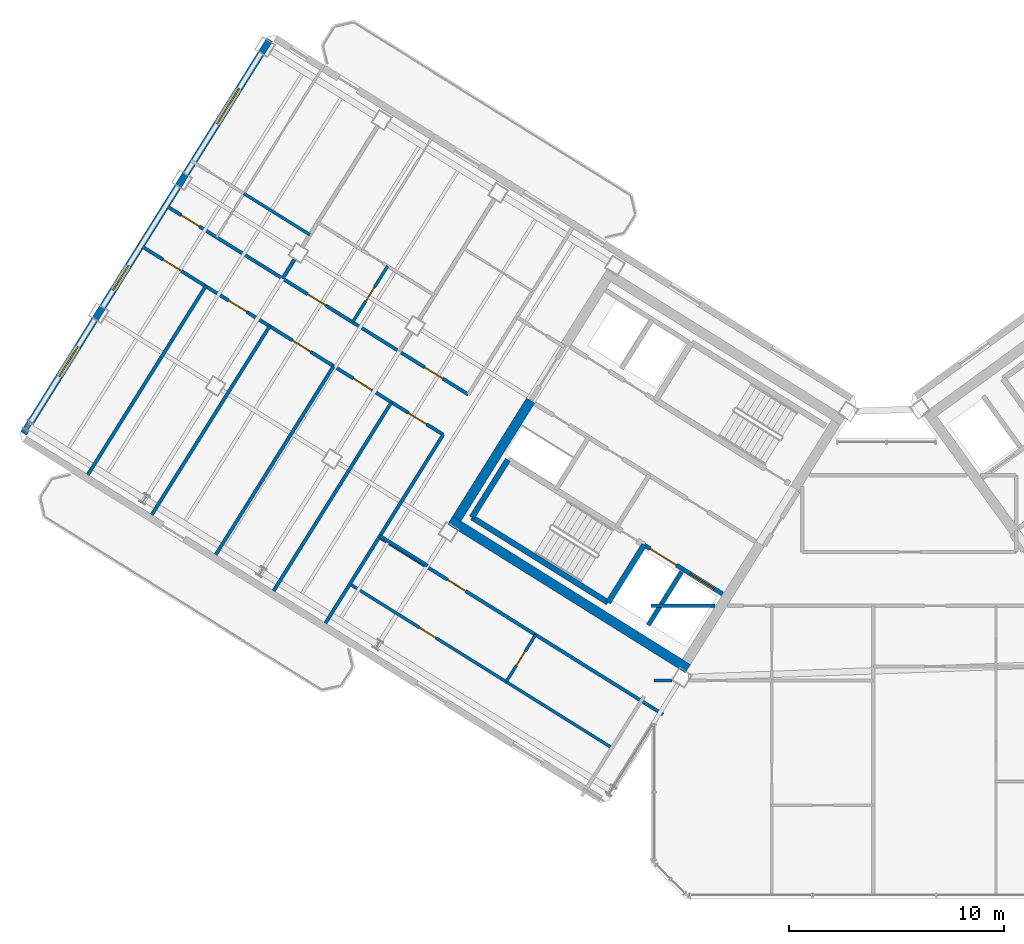
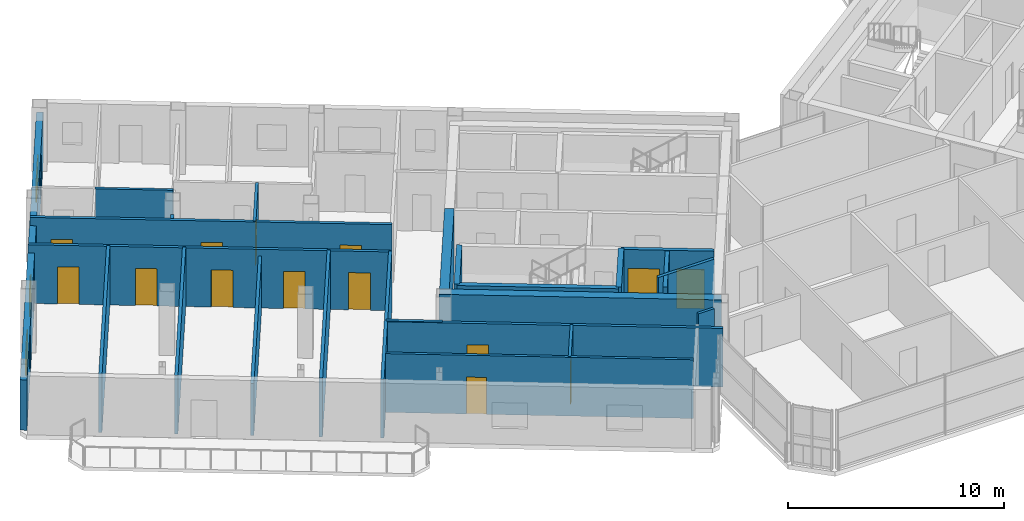
# One storey, part 16 of 25: 24 walls, 14 doors, 3 windows, 17 openings.
"""IFC4 building model written with IfcOpenShell, lengths in metres."""

from ifc_helpers import new_model, si_unit, direction, frame, frame_2d, origin, place, context, subcontext, project, spatial, rectangle, extrude, source, transform, mapped, material, layer, layer_set, type_object, element, fill, save


model = new_model("IFC4")

# Units and contexts
model_context = context("Model", 3, precision=1e-05, world=origin(), true_north=direction((0.0, 1.0)))
body_context = subcontext(model_context, "Body", "Model", "MODEL_VIEW")
ifc_project = project(units=[si_unit("LENGTHUNIT", "METRE"), si_unit("AREAUNIT", "SQUARE_METRE"), si_unit("VOLUMEUNIT", "CUBIC_METRE"), si_unit("PLANEANGLEUNIT", "RADIAN"), si_unit("MASSUNIT", "GRAM", prefix="KILO")], contexts=[model_context])

# Site, building, storey
site_placement = place(None, origin())
site = spatial("IfcSite", under=ifc_project, at=site_placement, CompositionType="ELEMENT")
building_placement = place(site_placement, origin())
building = spatial("IfcBuilding", under=site, at=building_placement, Name="Tlacorven Tower", CompositionType="ELEMENT")
storey_placement = place(building_placement, frame((0.0, 0.0, 251.10009765625)))
storey = spatial("IfcBuildingStorey", under=building, at=storey_placement, Name="L63", CompositionType="ELEMENT", Elevation=251.10009765625)

# Walls
ifc_material_1 = material(Name="Concrete C50/60", Category="concrete")
ifc_layer_1 = layer(ifc_material_1, 0.449951171875)
ifc_layer_set_1 = layer_set([ifc_layer_1], Name="Concrete C50/60")
wall_type_1 = type_object("IfcWallType", Name="WL-COR-450", PredefinedType="SHEAR", material=ifc_layer_set_1)
wall_1_placement = place(storey_placement, frame((33.32373046875, 12.5029296875, 0.0), z_axis=(0.0, 0.0, 1.0), x_axis=(-0.848043529849, 0.529926571782, 0.0)))
element("IfcWall", 1, at=wall_1_placement, inside=storey, type_object=wall_type_1, Name="L63 W core shear wall S2", PredefinedType="SHEAR", context=body_context, shape_type="SweptSolid", body=[
    extrude(rectangle(XDim=13.039794921875, YDim=0.449951171875, at=frame_2d((6.52001953125, 0.0))), origin(), (0.0, 0.0, 1.0), 3.31982421875),
])
wall_2_placement = place(storey_placement, frame((26.006591796875, 24.975830078125, 0.0), z_axis=(0.0, 0.0, 1.0), x_axis=(-0.529931155655, -0.848040665456, 0.0)))
element("IfcWall", 2, at=wall_2_placement, inside=storey, type_object=wall_type_1, Name="L63 W core end wall E2.2", PredefinedType="SHEAR", context=body_context, shape_type="SweptSolid", body=[
    extrude(rectangle(XDim=6.47509765625, YDim=0.449951171875, at=frame_2d((3.237548828125, 0.0))), origin(), (0.0, 0.0, 1.0), 3.31982421875),
])
ifc_material_2 = material(Name="Gypsum plasterboard acoustic partition", Category="gypsum")
ifc_layer_2 = layer(ifc_material_2, 0.159912109375)
ifc_layer_set_2 = layer_set([ifc_layer_2], Name="Gypsum plasterboard acoustic partition")
wall_type_2 = type_object("IfcWallType", Name="WL-DEM-160", PredefinedType="PARTITIONING", material=ifc_layer_set_2)
wall_3_placement = place(storey_placement, frame((21.20556640625, 17.29248046875, 0.0), z_axis=(0.0, 0.0, 1.0), x_axis=(-0.848050851465, 0.529914854792, 0.0)))
element("IfcWall", 3, at=wall_3_placement, inside=storey, type_object=wall_type_2, Name="L63 partition 37", PredefinedType="PARTITIONING", context=body_context, shape_type="SweptSolid", body=[
    extrude(rectangle(XDim=2.60986328125, YDim=0.159912109375, at=frame_2d((1.304931640625, 0.0))), origin(), (0.0, 0.0, 1.0), 3.309814453125),
])
wall_4_placement = place(storey_placement, frame((21.9384765625, 23.390625, 0.0), z_axis=(0.0, 0.0, 1.0), x_axis=(-0.529924725692, -0.848044683434, 0.0)))
element("IfcWall", 4, at=wall_4_placement, inside=storey, type_object=wall_type_2, Name="L63 partition 39", PredefinedType="PARTITIONING", context=body_context, shape_type="SweptSolid", body=[
    extrude(rectangle(XDim=10.349853515625, YDim=0.159912109375, at=frame_2d((5.1748046875, 0.0))), origin(), (0.0, 0.0, 1.0), 3.309814453125),
])

# Wall, openings, doors
wall_5_placement = place(storey_placement, frame((23.104248046875, 25.25634765625, 0.0), z_axis=(0.0, 0.0, 1.0), x_axis=(-0.848041752158, 0.529929416617, 0.0)))
wall_5 = element("IfcWall", 5, at=wall_5_placement, inside=storey, type_object=wall_type_2, Name="L63 Wing W Corridor South Wall", PredefinedType="PARTITIONING", context=body_context, shape_type="SweptSolid", body=[
    extrude(rectangle(XDim=16.72998046875, YDim=0.159912109375, at=frame_2d((8.364990234375, 0.0))), origin(), (0.0, 0.0, 1.0), 3.309814453125),
])
opening_1_placement = place(wall_5_placement, frame((1.39501953125, 0.0, 0.0)))
opening_1 = element("IfcOpeningElement", 6, at=opening_1_placement, cuts=wall_5, Name="Opening D11", PredefinedType="OPENING", context=body_context, shape_type="SweptSolid", body=[
    extrude(rectangle(XDim=1.0, YDim=2.10009765625, at=frame_2d((0.5, 1.050048828125))), frame((0.0, 0.08984375, 0.0), z_axis=(0.0, -1.0, 0.0), x_axis=(1.0, 0.0, 0.0)), (0.0, 0.0, 1.0), 0.179931640625),
])
opening_2_placement = place(wall_5_placement, frame((7.820068359375, 0.0, 0.0)))
opening_2 = element("IfcOpeningElement", 7, at=opening_2_placement, cuts=wall_5, Name="Opening D11", PredefinedType="OPENING", context=body_context, shape_type="SweptSolid", body=[
    extrude(rectangle(XDim=1.0, YDim=2.10009765625, at=frame_2d((0.5, 1.050048828125))), frame((0.0, 0.08984375, 0.0), z_axis=(0.0, -1.0, 0.0), x_axis=(1.0, 0.0, 0.0)), (0.0, 0.0, 1.0), 0.179931640625),
])
opening_3_placement = place(wall_5_placement, frame((14.760009765625, 0.0, 0.0)))
opening_3 = element("IfcOpeningElement", 8, at=opening_3_placement, cuts=wall_5, Name="Opening D11", PredefinedType="OPENING", context=body_context, shape_type="SweptSolid", body=[
    extrude(rectangle(XDim=1.0, YDim=2.10009765625, at=frame_2d((0.5, 1.050048828125))), frame((0.0, 0.08984375, 0.0), z_axis=(0.0, -1.0, 0.0), x_axis=(1.0, 0.0, 0.0)), (0.0, 0.0, 1.0), 0.179931640625),
])
ifc_material_3 = material(Name="Fire-rated steel door assembly", Category="steel")
door_type_1 = type_object("IfcDoorType", Name="DR-FLT-FD60-1000", OperationType="NOTDEFINED", PredefinedType="DOOR", material=ifc_material_3)
shared_shape_1 = source(origin(), body_context, "Body", "SweptSolid", [
    extrude(rectangle(XDim=1.0, YDim=2.10009765625, at=frame_2d((0.5, 1.050048828125))), frame((0.0, 0.02490234375, 0.0), z_axis=(0.0, -1.0, 0.0), x_axis=(1.0, 0.0, 0.0)), (0.0, 0.0, 1.0), 0.050048828125),
])
door_1_placement = place(opening_1_placement, origin())
door_1 = element("IfcDoor", 9, at=door_1_placement, inside=storey, type_object=door_type_1, Name="L63 door 026", OperationType="SINGLE_SWING_RIGHT", OverallHeight=2.10009765625, OverallWidth=1.0, PredefinedType="DOOR", context=body_context, shape_type="MappedRepresentation", body=[
    mapped(shared_shape_1, transform((0.0, 0.0, 0.0), scale=1.0)),
])
fill(opening_1, door_1)
door_2_placement = place(opening_2_placement, origin())
door_2 = element("IfcDoor", 10, at=door_2_placement, inside=storey, type_object=door_type_1, Name="L63 door 029", OperationType="SINGLE_SWING_LEFT", OverallHeight=2.10009765625, OverallWidth=1.0, PredefinedType="DOOR", context=body_context, shape_type="MappedRepresentation", body=[
    mapped(shared_shape_1, transform((0.0, 0.0, 0.0), scale=1.0)),
])
fill(opening_2, door_2)
door_3_placement = place(opening_3_placement, origin())
door_3 = element("IfcDoor", 11, at=door_3_placement, inside=storey, type_object=door_type_1, Name="L63 door 033", OperationType="SINGLE_SWING_LEFT", OverallHeight=2.10009765625, OverallWidth=1.0, PredefinedType="DOOR", context=body_context, shape_type="MappedRepresentation", body=[
    mapped(shared_shape_1, transform((0.0, 0.0, 0.0), scale=1.0)),
])
fill(opening_3, door_3)

wall_6_placement = place(storey_placement, frame((21.9384765625, 23.390625, 0.0), z_axis=(0.0, 0.0, 1.0), x_axis=(-0.848045850158, 0.529922858565, 0.0)))
wall_6 = element("IfcWall", 12, at=wall_6_placement, inside=storey, type_object=wall_type_2, Name="L63 Wing W Corridor North Wall", PredefinedType="PARTITIONING", context=body_context, shape_type="SweptSolid", body=[
    extrude(rectangle(XDim=16.730224609375, YDim=0.159912109375, at=frame_2d((8.365234375, 0.0))), origin(), (0.0, 0.0, 1.0), 3.309814453125),
])
opening_4_placement = place(wall_6_placement, frame((0.92041015625, 0.0, 0.0)))
opening_4 = element("IfcOpeningElement", 13, at=opening_4_placement, cuts=wall_6, Name="Opening D11", PredefinedType="OPENING", context=body_context, shape_type="SweptSolid", body=[
    extrude(rectangle(XDim=1.0, YDim=2.10009765625, at=frame_2d((0.5, 1.050048828125))), frame((0.0, 0.08984375, 0.0), z_axis=(0.0, -1.0, 0.0), x_axis=(1.0, 0.0, 0.0)), (0.0, 0.0, 1.0), 0.179931640625),
])
opening_5_placement = place(wall_6_placement, frame((3.928466796875, 0.0, 0.0)))
opening_5 = element("IfcOpeningElement", 14, at=opening_5_placement, cuts=wall_6, Name="Opening D11", PredefinedType="OPENING", context=body_context, shape_type="SweptSolid", body=[
    extrude(rectangle(XDim=1.0, YDim=2.10009765625, at=frame_2d((0.5, 1.050048828125))), frame((0.0, 0.08984375, 0.0), z_axis=(0.0, -1.0, 0.0), x_axis=(1.0, 0.0, 0.0)), (0.0, 0.0, 1.0), 0.179931640625),
])
opening_6_placement = place(wall_6_placement, frame((7.2705078125, 0.0, 0.0)))
opening_6 = element("IfcOpeningElement", 15, at=opening_6_placement, cuts=wall_6, Name="Opening D11", PredefinedType="OPENING", context=body_context, shape_type="SweptSolid", body=[
    extrude(rectangle(XDim=1.0, YDim=2.10009765625, at=frame_2d((0.5, 1.050048828125))), frame((0.0, 0.08984375, 0.0), z_axis=(0.0, -1.0, 0.0), x_axis=(1.0, 0.0, 0.0)), (0.0, 0.0, 1.0), 0.179931640625),
])
opening_7_placement = place(wall_6_placement, frame((10.779541015625, 0.0, 0.0)))
opening_7 = element("IfcOpeningElement", 16, at=opening_7_placement, cuts=wall_6, Name="Opening D11", PredefinedType="OPENING", context=body_context, shape_type="SweptSolid", body=[
    extrude(rectangle(XDim=1.0, YDim=2.10009765625, at=frame_2d((0.5, 1.050048828125))), frame((0.0, 0.08984375, 0.0), z_axis=(0.0, -1.0, 0.0), x_axis=(1.0, 0.0, 0.0)), (0.0, 0.0, 1.0), 0.179931640625),
])
opening_8_placement = place(wall_6_placement, frame((14.3720703125, 0.0, 0.0)))
opening_8 = element("IfcOpeningElement", 17, at=opening_8_placement, cuts=wall_6, Name="Opening D11", PredefinedType="OPENING", context=body_context, shape_type="SweptSolid", body=[
    extrude(rectangle(XDim=1.0, YDim=2.10009765625, at=frame_2d((0.5, 1.050048828125))), frame((0.0, 0.08984375, 0.0), z_axis=(0.0, -1.0, 0.0), x_axis=(1.0, 0.0, 0.0)), (0.0, 0.0, 1.0), 0.179931640625),
])
door_4_placement = place(opening_4_placement, origin())
door_4 = element("IfcDoor", 18, at=door_4_placement, inside=storey, type_object=door_type_1, Name="L63 door 021", OperationType="SINGLE_SWING_LEFT", OverallHeight=2.10009765625, OverallWidth=1.0, PredefinedType="DOOR", context=body_context, shape_type="MappedRepresentation", body=[
    mapped(shared_shape_1, transform((0.0, 0.0, 0.0), scale=1.0)),
])
fill(opening_4, door_4)
door_5_placement = place(opening_5_placement, origin())
door_5 = element("IfcDoor", 19, at=door_5_placement, inside=storey, type_object=door_type_1, Name="L63 door 022", OperationType="SINGLE_SWING_RIGHT", OverallHeight=2.10009765625, OverallWidth=1.0, PredefinedType="DOOR", context=body_context, shape_type="MappedRepresentation", body=[
    mapped(shared_shape_1, transform((0.0, 0.0, 0.0), scale=1.0)),
])
fill(opening_5, door_5)
door_6_placement = place(opening_6_placement, origin())
door_6 = element("IfcDoor", 20, at=door_6_placement, inside=storey, type_object=door_type_1, Name="L63 door 023", OperationType="SINGLE_SWING_LEFT", OverallHeight=2.10009765625, OverallWidth=1.0, PredefinedType="DOOR", context=body_context, shape_type="MappedRepresentation", body=[
    mapped(shared_shape_1, transform((0.0, 0.0, 0.0), scale=1.0)),
])
fill(opening_6, door_6)
door_7_placement = place(opening_7_placement, origin())
door_7 = element("IfcDoor", 21, at=door_7_placement, inside=storey, type_object=door_type_1, Name="L63 door 024", OperationType="SINGLE_SWING_RIGHT", OverallHeight=2.10009765625, OverallWidth=1.0, PredefinedType="DOOR", context=body_context, shape_type="MappedRepresentation", body=[
    mapped(shared_shape_1, transform((0.0, 0.0, 0.0), scale=1.0)),
])
fill(opening_7, door_7)
door_8_placement = place(opening_8_placement, origin())
door_8 = element("IfcDoor", 22, at=door_8_placement, inside=storey, type_object=door_type_1, Name="L63 door 025", OperationType="SINGLE_SWING_LEFT", OverallHeight=2.10009765625, OverallWidth=1.0, PredefinedType="DOOR", context=body_context, shape_type="MappedRepresentation", body=[
    mapped(shared_shape_1, transform((0.0, 0.0, 0.0), scale=1.0)),
])
fill(opening_8, door_8)

# Walls
wall_7_placement = place(storey_placement, frame((19.529052734375, 24.896240234375, 0.0), z_axis=(0.0, 0.0, 1.0), x_axis=(-0.529914125013, -0.848051307476, 0.0)))
element("IfcWall", 23, at=wall_7_placement, inside=storey, type_object=wall_type_2, Name="L63 partition 43", PredefinedType="PARTITIONING", context=body_context, shape_type="SweptSolid", body=[
    extrude(rectangle(XDim=10.35009765625, YDim=0.159912109375, at=frame_2d((5.175048828125, 0.0))), origin(), (0.0, 0.0, 1.0), 3.309814453125),
])
wall_8_placement = place(storey_placement, frame((16.836669921875, 26.57861328125, 0.0), z_axis=(0.0, 0.0, 1.0), x_axis=(-0.529941690036, -0.848034082547, 0.0)))
element("IfcWall", 24, at=wall_8_placement, inside=storey, type_object=wall_type_2, Name="L63 partition 44", PredefinedType="PARTITIONING", context=body_context, shape_type="SweptSolid", body=[
    extrude(rectangle(XDim=10.349853515625, YDim=0.159912109375, at=frame_2d((5.1748046875, 0.0))), origin(), (0.0, 0.0, 1.0), 2.934814453125),
])
wall_9_placement = place(storey_placement, frame((13.86083984375, 28.438232421875, 0.0), z_axis=(0.0, 0.0, 1.0), x_axis=(-0.529931089283, -0.848040706931, 0.0)))
element("IfcWall", 25, at=wall_9_placement, inside=storey, type_object=wall_type_2, Name="L63 partition 45", PredefinedType="PARTITIONING", context=body_context, shape_type="SweptSolid", body=[
    extrude(rectangle(XDim=10.35009765625, YDim=0.159912109375, at=frame_2d((5.175048828125, 0.0))), origin(), (0.0, 0.0, 1.0), 3.309814453125),
])
wall_10_placement = place(storey_placement, frame((10.885009765625, 30.297607421875, 0.0), z_axis=(0.0, 0.0, 1.0), x_axis=(-0.529924725692, -0.848044683434, 0.0)))
element("IfcWall", 26, at=wall_10_placement, inside=storey, type_object=wall_type_2, Name="L63 partition 46", PredefinedType="PARTITIONING", context=body_context, shape_type="SweptSolid", body=[
    extrude(rectangle(XDim=10.349853515625, YDim=0.159912109375, at=frame_2d((5.1748046875, 0.0))), origin(), (0.0, 0.0, 1.0), 3.309814453125),
])
wall_11_placement = place(storey_placement, frame((15.0126953125, 31.53662109375, 0.0), z_axis=(0.0, 0.0, 1.0), x_axis=(-0.529872092657, -0.848077570405, 0.0)))
element("IfcWall", 27, at=wall_11_placement, inside=storey, type_object=wall_type_2, Name="L63 WS Demising Wall 2", PredefinedType="PARTITIONING", context=body_context, shape_type="SweptSolid", body=[
    extrude(rectangle(XDim=1.0380859375, YDim=0.159912109375, at=frame_2d((0.51904296875, 0.0))), origin(), (0.0, 0.0, 1.0), 2.844970703125),
])

# Wall, opening, door
wall_12_placement = place(storey_placement, frame((32.164306640625, 10.373779296875, 0.0), z_axis=(0.0, 0.0, 1.0), x_axis=(-0.848044107957, 0.529925646633, 0.0)))
wall_12 = element("IfcWall", 28, at=wall_12_placement, inside=storey, type_object=wall_type_2, Name="L63 partition 57", PredefinedType="PARTITIONING", context=body_context, shape_type="SweptSolid", body=[
    extrude(rectangle(XDim=15.570068359375, YDim=0.159912109375, at=frame_2d((7.78515625, 0.0))), origin(), (0.0, 0.0, 1.0), 3.309814453125),
])
opening_9_placement = place(wall_12_placement, frame((10.830078125, 0.0, 0.0)))
opening_9 = element("IfcOpeningElement", 29, at=opening_9_placement, cuts=wall_12, Name="Opening D11", PredefinedType="OPENING", context=body_context, shape_type="SweptSolid", body=[
    extrude(rectangle(XDim=1.0, YDim=2.10009765625, at=frame_2d((0.5, 1.050048828125))), frame((0.0, 0.08984375, 0.0), z_axis=(0.0, -1.0, 0.0), x_axis=(1.0, 0.0, 0.0)), (0.0, 0.0, 1.0), 0.179931640625),
])
door_9_placement = place(opening_9_placement, origin())
door_9 = element("IfcDoor", 30, at=door_9_placement, inside=storey, type_object=door_type_1, Name="L63 door 037", OperationType="SINGLE_SWING_LEFT", OverallHeight=2.10009765625, OverallWidth=1.0, PredefinedType="DOOR", context=body_context, shape_type="MappedRepresentation", body=[
    mapped(shared_shape_1, transform((0.0, 0.0, 0.0), scale=1.0)),
])
fill(opening_9, door_9)

# Wall
wall_13_placement = place(storey_placement, frame((31.60009765625, 15.419921875, 0.0), z_axis=(0.0, 0.0, 1.0), x_axis=(1.0, 0.0, 0.0)))
element("IfcWall", 31, at=wall_13_placement, inside=storey, type_object=wall_type_2, Name="L63 Knuckle Corridor South Wall", PredefinedType="PARTITIONING", context=body_context, shape_type="SweptSolid", body=[
    extrude(rectangle(XDim=2.984130859375, YDim=0.159912109375, at=frame_2d((1.4921875, 0.0))), origin(), (0.0, 0.0, 1.0), 3.309814453125),
])

# Wall, openings, windows
ifc_material_4 = material(Name="Precast concrete C45/55", Category="concrete")
ifc_layer_3 = layer(ifc_material_4, 0.320068359375)
ifc_layer_set_3 = layer_set([ifc_layer_3], Name="Precast concrete C45/55")
wall_type_3 = type_object("IfcWallType", Name="WL-EXT-320", PredefinedType="STANDARD", material=ifc_layer_set_3)
wall_14_placement = place(storey_placement, frame((2.41455078125, 23.452392578125, 0.0), z_axis=(0.0, 0.0, 1.0), x_axis=(0.52991049553, 0.848053575387, 0.0)))
wall_14 = element("IfcWall", 32, at=wall_14_placement, inside=storey, type_object=wall_type_3, Name="L63 Masonry-Frame Recessed Facade Wall 2", PredefinedType="STANDARD", context=body_context, shape_type="SweptSolid", body=[
    extrude(rectangle(XDim=21.58740234375, YDim=0.320068359375, at=frame_2d((10.793701171875, 0.0))), origin(), (0.0, 0.0, 1.0), 2.844970703125),
])
opening_10_placement = place(wall_14_placement, frame((3.11865234375, 0.0, 0.89990234375)))
opening_10 = element("IfcOpeningElement", 33, at=opening_10_placement, cuts=wall_14, Name="Opening WN07", PredefinedType="OPENING", context=body_context, shape_type="SweptSolid", body=[
    extrude(rectangle(XDim=1.64990234375, YDim=1.449951171875, at=frame_2d((0.824951171875, 0.72509765625))), frame((0.0, 0.169921875, 0.0), z_axis=(0.0, -1.0, 0.0), x_axis=(1.0, 0.0, 0.0)), (0.0, 0.0, 1.0), 0.340087890625),
])
opening_11_placement = place(wall_14_placement, frame((7.853759765625, 0.0, 0.89990234375)))
opening_11 = element("IfcOpeningElement", 34, at=opening_11_placement, cuts=wall_14, Name="Opening WN08", PredefinedType="OPENING", context=body_context, shape_type="SweptSolid", body=[
    extrude(rectangle(XDim=1.35009765625, YDim=1.449951171875, at=frame_2d((0.675048828125, 0.72509765625))), frame((0.0, 0.169921875, 0.0), z_axis=(0.0, -1.0, 0.0), x_axis=(1.0, 0.0, 0.0)), (0.0, 0.0, 1.0), 0.340087890625),
])
opening_12_placement = place(wall_14_placement, frame((16.978759765625, 0.0, 0.949951171875)))
opening_12 = element("IfcOpeningElement", 35, at=opening_12_placement, cuts=wall_14, Name="Opening WN09", PredefinedType="OPENING", context=body_context, shape_type="SweptSolid", body=[
    extrude(rectangle(XDim=1.949951171875, YDim=1.35009765625, at=frame_2d((0.97509765625, 0.675048828125))), frame((0.0, 0.169921875, 0.0), z_axis=(0.0, -1.0, 0.0), x_axis=(1.0, 0.0, 0.0)), (0.0, 0.0, 1.0), 0.340087890625),
])
ifc_material_5 = material(Name="Dark solar low-E double glazing in anodised aluminium frame", Category="aluminium")
window_type_1 = type_object("IfcWindowType", Name="WN-APT-1650X1600", PartitioningType="SINGLE_PANEL", PredefinedType="WINDOW", material=ifc_material_5)
shared_shape_2 = source(origin(), body_context, "Body", "SweptSolid", [
    extrude(rectangle(XDim=1.64990234375, YDim=1.449951171875, at=frame_2d((0.824951171875, 0.72509765625))), frame((0.0, 0.030029296875, 0.0), z_axis=(0.0, -1.0, 0.0), x_axis=(1.0, 0.0, 0.0)), (0.0, 0.0, 1.0), 0.06005859375),
])
window_1_placement = place(opening_10_placement, origin())
window_1 = element("IfcWindow", 36, at=window_1_placement, inside=storey, type_object=window_type_1, Name="L63 Recessed Masonry-Frame Window L63-02.1", OverallHeight=1.449951171875, OverallWidth=1.64990234375, PartitioningType="SINGLE_PANEL", PredefinedType="WINDOW", context=body_context, shape_type="MappedRepresentation", body=[
    mapped(shared_shape_2, transform((0.0, 0.0, 0.0), scale=1.0)),
])
fill(opening_10, window_1)
window_type_2 = type_object("IfcWindowType", Name="WN-APT-1350X1550", PartitioningType="SINGLE_PANEL", PredefinedType="WINDOW", material=ifc_material_5)
shared_shape_3 = source(origin(), body_context, "Body", "SweptSolid", [
    extrude(rectangle(XDim=1.35009765625, YDim=1.449951171875, at=frame_2d((0.675048828125, 0.72509765625))), frame((0.0, 0.030029296875, 0.0), z_axis=(0.0, -1.0, 0.0), x_axis=(1.0, 0.0, 0.0)), (0.0, 0.0, 1.0), 0.06005859375),
])
window_2_placement = place(opening_11_placement, origin())
window_2 = element("IfcWindow", 37, at=window_2_placement, inside=storey, type_object=window_type_2, Name="L63 Recessed Masonry-Frame Window L63-02.2", OverallHeight=1.449951171875, OverallWidth=1.35009765625, PartitioningType="SINGLE_PANEL", PredefinedType="WINDOW", context=body_context, shape_type="MappedRepresentation", body=[
    mapped(shared_shape_3, transform((0.0, 0.0, 0.0), scale=1.0)),
])
fill(opening_11, window_2)
window_type_3 = type_object("IfcWindowType", Name="WN-GAL-1950X1450", PartitioningType="SINGLE_PANEL", PredefinedType="WINDOW", material=ifc_material_5)
shared_shape_4 = source(origin(), body_context, "Body", "SweptSolid", [
    extrude(rectangle(XDim=1.949951171875, YDim=1.35009765625, at=frame_2d((0.97509765625, 0.675048828125))), frame((0.0, 0.030029296875, 0.0), z_axis=(0.0, -1.0, 0.0), x_axis=(1.0, 0.0, 0.0)), (0.0, 0.0, 1.0), 0.06005859375),
])
window_3_placement = place(opening_12_placement, origin())
window_3 = element("IfcWindow", 38, at=window_3_placement, inside=storey, type_object=window_type_3, Name="L63 Recessed Masonry-Frame Window L63-02.3", OverallHeight=1.35009765625, OverallWidth=1.949951171875, PartitioningType="SINGLE_PANEL", PredefinedType="WINDOW", context=body_context, shape_type="MappedRepresentation", body=[
    mapped(shared_shape_4, transform((0.0, 0.0, 0.0), scale=1.0)),
])
fill(opening_12, window_3)

# Wall, opening, door
ifc_material_6 = material(Name="Moisture-resistant gypsum plumbing wall", Category="gypsum")
ifc_layer_4 = layer(ifc_material_6, 0.139892578125)
ifc_layer_set_4 = layer_set([ifc_layer_4], Name="Moisture-resistant gypsum plumbing wall")
wall_type_4 = type_object("IfcWallType", Name="WL-PLM-140", PredefinedType="PLUMBINGWALL", material=ifc_layer_set_4)
wall_15_placement = place(storey_placement, frame((19.351318359375, 31.2333984375, 0.0), z_axis=(0.0, 0.0, 1.0), x_axis=(-0.52989206052, -0.848065094316, 0.0)))
wall_15 = element("IfcWall", 39, at=wall_15_placement, inside=storey, type_object=wall_type_4, Name="L63 partition 51", PredefinedType="PLUMBINGWALL", context=body_context, shape_type="SweptSolid", body=[
    extrude(rectangle(XDim=3.080078125, YDim=0.139892578125, at=frame_2d((1.5400390625, 0.0))), origin(), (0.0, 0.0, 1.0), 3.309814453125),
])
opening_13_placement = place(wall_15_placement, frame((1.14990234375, 0.0, 0.0)))
opening_13 = element("IfcOpeningElement", 40, at=opening_13_placement, cuts=wall_15, Name="Opening D22", PredefinedType="OPENING", context=body_context, shape_type="SweptSolid", body=[
    extrude(rectangle(XDim=0.780029296875, YDim=2.050048828125, at=frame_2d((0.39013671875, 1.02490234375))), frame((0.0, 0.080078125, 0.0), z_axis=(0.0, -1.0, 0.0), x_axis=(1.0, 0.0, 0.0)), (0.0, 0.0, 1.0), 0.159912109375),
])
ifc_material_7 = material(Name="Powder-coated aluminium and timber door", Category="wood")
door_type_2 = type_object("IfcDoorType", Name="DR-INT-WET-0780", OperationType="NOTDEFINED", PredefinedType="DOOR", material=ifc_material_7)
shared_shape_5 = source(origin(), body_context, "Body", "SweptSolid", [
    extrude(rectangle(XDim=0.780029296875, YDim=2.050048828125, at=frame_2d((0.39013671875, 1.02490234375))), frame((0.0, 0.02490234375, 0.0), z_axis=(0.0, -1.0, 0.0), x_axis=(1.0, 0.0, 0.0)), (0.0, 0.0, 1.0), 0.050048828125),
])
door_10_placement = place(opening_13_placement, origin())
door_10 = element("IfcDoor", 41, at=door_10_placement, inside=storey, type_object=door_type_2, Name="L63 door 031", OperationType="SINGLE_SWING_LEFT", OverallHeight=2.050048828125, OverallWidth=0.780029296875, PredefinedType="DOOR", context=body_context, shape_type="MappedRepresentation", body=[
    mapped(shared_shape_5, transform((0.0, 0.0, 0.0), scale=1.0)),
])
fill(opening_13, door_10)

# Wall
wall_16_placement = place(storey_placement, frame((15.734375, 32.691650390625, 0.0), z_axis=(0.0, 0.0, 1.0), x_axis=(-0.848051346257, 0.52991406295, 0.0)))
element("IfcWall", 42, at=wall_16_placement, inside=storey, type_object=wall_type_4, Name="L63 partition 56", PredefinedType="PLUMBINGWALL", context=body_context, shape_type="SweptSolid", body=[
    extrude(rectangle(XDim=3.619873046875, YDim=0.139892578125, at=frame_2d((1.81005859375, 0.0))), origin(), (0.0, 0.0, 1.0), 3.309814453125),
])

# Wall, opening, door
wall_17_placement = place(storey_placement, frame((29.72021484375, 8.85888671875, 0.0), z_axis=(0.0, 0.0, 1.0), x_axis=(-0.848049134363, 0.529917602752, 0.0)))
wall_17 = element("IfcWall", 43, at=wall_17_placement, inside=storey, type_object=wall_type_4, Name="L63 partition 59", PredefinedType="PLUMBINGWALL", context=body_context, shape_type="SweptSolid", body=[
    extrude(rectangle(XDim=14.300048828125, YDim=0.139892578125, at=frame_2d((7.14990234375, 0.0))), origin(), (0.0, 0.0, 1.0), 3.309814453125),
])
opening_14_placement = place(wall_17_placement, frame((9.570068359375, 0.0, 0.0)))
opening_14 = element("IfcOpeningElement", 44, at=opening_14_placement, cuts=wall_17, Name="Opening D12", PredefinedType="OPENING", context=body_context, shape_type="SweptSolid", body=[
    extrude(rectangle(XDim=0.919921875, YDim=2.080078125, at=frame_2d((0.4599609375, 1.0400390625))), frame((0.0, 0.080078125, 0.0), z_axis=(0.0, -1.0, 0.0), x_axis=(1.0, 0.0, 0.0)), (0.0, 0.0, 1.0), 0.159912109375),
])
door_type_3 = type_object("IfcDoorType", Name="DR-INT-ROOM-0920", OperationType="NOTDEFINED", PredefinedType="DOOR", material=ifc_material_7)
shared_shape_6 = source(origin(), body_context, "Body", "SweptSolid", [
    extrude(rectangle(XDim=0.919921875, YDim=2.080078125, at=frame_2d((0.4599609375, 1.0400390625))), frame((0.0, 0.02490234375, 0.0), z_axis=(0.0, -1.0, 0.0), x_axis=(1.0, 0.0, 0.0)), (0.0, 0.0, 1.0), 0.050048828125),
])
door_11_placement = place(opening_14_placement, origin())
door_11 = element("IfcDoor", 45, at=door_11_placement, inside=storey, type_object=door_type_3, Name="L63 door 038", OperationType="SINGLE_SWING_RIGHT", OverallHeight=2.080078125, OverallWidth=0.919921875, PredefinedType="DOOR", context=body_context, shape_type="MappedRepresentation", body=[
    mapped(shared_shape_6, transform((0.0, 0.0, 0.0), scale=1.0)),
])
fill(opening_14, door_11)

wall_18_placement = place(storey_placement, frame((26.236572265625, 14.077880859375, 0.0), z_axis=(0.0, 0.0, 1.0), x_axis=(-0.52995640672, -0.848024885824, 0.0)))
wall_18 = element("IfcWall", 46, at=wall_18_placement, inside=storey, type_object=wall_type_4, Name="L63 partition 60", PredefinedType="PLUMBINGWALL", context=body_context, shape_type="SweptSolid", body=[
    extrude(rectangle(XDim=2.579833984375, YDim=0.139892578125, at=frame_2d((1.2900390625, 0.0))), origin(), (0.0, 0.0, 1.0), 3.309814453125),
])
opening_15_placement = place(wall_18_placement, frame((0.89990234375, 0.0, 0.0)))
opening_15 = element("IfcOpeningElement", 47, at=opening_15_placement, cuts=wall_18, Name="Opening D22", PredefinedType="OPENING", context=body_context, shape_type="SweptSolid", body=[
    extrude(rectangle(XDim=0.780029296875, YDim=2.050048828125, at=frame_2d((0.39013671875, 1.02490234375))), frame((0.0, 0.080078125, 0.0), z_axis=(0.0, -1.0, 0.0), x_axis=(1.0, 0.0, 0.0)), (0.0, 0.0, 1.0), 0.159912109375),
])
door_12_placement = place(opening_15_placement, origin())
door_12 = element("IfcDoor", 48, at=door_12_placement, inside=storey, type_object=door_type_2, Name="L63 door 039", OperationType="SINGLE_SWING_LEFT", OverallHeight=2.050048828125, OverallWidth=0.780029296875, PredefinedType="DOOR", context=body_context, shape_type="MappedRepresentation", body=[
    mapped(shared_shape_5, transform((0.0, 0.0, 0.0), scale=1.0)),
])
fill(opening_15, door_12)

# Wall
wall_19_placement = place(storey_placement, frame((31.739990234375, 11.949951171875, 0.0), z_axis=(0.0, 0.0, 1.0), x_axis=(1.0, 0.0, 0.0)))
element("IfcWall", 49, at=wall_19_placement, inside=storey, type_object=wall_type_4, Name="L63 partition 70", PredefinedType="PLUMBINGWALL", context=body_context, shape_type="SweptSolid", body=[
    extrude(rectangle(XDim=0.842041015625, YDim=0.139892578125, at=frame_2d((0.4208984375, 0.0))), origin(), (0.0, 0.0, 1.0), 3.309814453125),
])

# Wall, openings, doors
ifc_material_8 = material(Name="Concrete C40/50", Category="concrete")
ifc_layer_5 = layer(ifc_material_8, 0.199951171875)
ifc_layer_set_5 = layer_set([ifc_layer_5], Name="Concrete C40/50")
wall_type_5 = type_object("IfcWallType", Name="WL-SHF-200", PredefinedType="STANDARD", material=ifc_layer_set_5)
wall_20_placement = place(storey_placement, frame((34.93310546875, 15.978271484375, 0.0), z_axis=(0.0, 0.0, 1.0), x_axis=(-0.848055739377, 0.529907032327, 0.0)))
wall_20 = element("IfcWall", 50, at=wall_20_placement, inside=storey, type_object=wall_type_5, Name="L63 Core W Firefighting Lift Shaft Front Wall", PredefinedType="STANDARD", context=body_context, shape_type="SweptSolid", body=[
    extrude(rectangle(XDim=4.298095703125, YDim=0.199951171875, at=frame_2d((2.14892578125, 0.0))), origin(), (0.0, 0.0, 1.0), 3.309814453125),
])
opening_16_placement = place(wall_20_placement, frame((0.447998046875, 0.0, 0.0)))
opening_16 = element("IfcOpeningElement", 51, at=opening_16_placement, cuts=wall_20, Name="Opening LD03", PredefinedType="OPENING", context=body_context, shape_type="SweptSolid", body=[
    extrude(rectangle(XDim=1.300048828125, YDim=2.199951171875, at=frame_2d((0.64990234375, 1.10009765625))), frame((0.0, 0.10986328125, 0.0), z_axis=(0.0, -1.0, 0.0), x_axis=(1.0, 0.0, 0.0)), (0.0, 0.0, 1.0), 0.219970703125),
])
opening_17_placement = place(wall_20_placement, frame((2.52294921875, 0.0, 0.0)))
opening_17 = element("IfcOpeningElement", 52, at=opening_17_placement, cuts=wall_20, Name="Opening LD04", PredefinedType="OPENING", context=body_context, shape_type="SweptSolid", body=[
    extrude(rectangle(XDim=1.449951171875, YDim=2.25, at=frame_2d((0.72509765625, 1.125))), frame((0.0, 0.10986328125, 0.0), z_axis=(0.0, -1.0, 0.0), x_axis=(1.0, 0.0, 0.0)), (0.0, 0.0, 1.0), 0.219970703125),
])
door_type_4 = type_object("IfcDoorType", Name="DR-LFT-SLID-1300", OperationType="DOUBLE_DOOR_SLIDING", PredefinedType="DOOR", material=ifc_material_3)
shared_shape_7 = source(origin(), body_context, "Body", "SweptSolid", [
    extrude(rectangle(XDim=1.300048828125, YDim=2.199951171875, at=frame_2d((0.64990234375, 1.10009765625))), frame((0.0, 0.02490234375, 0.0), z_axis=(0.0, -1.0, 0.0), x_axis=(1.0, 0.0, 0.0)), (0.0, 0.0, 1.0), 0.050048828125),
])
door_13_placement = place(opening_16_placement, origin())
door_13 = element("IfcDoor", 53, at=door_13_placement, inside=storey, type_object=door_type_4, Name="L63 Lift FFL-W1 Sliding Landing Door", OperationType="DOUBLE_DOOR_SLIDING", OverallHeight=2.199951171875, OverallWidth=1.300048828125, PredefinedType="DOOR", context=body_context, shape_type="MappedRepresentation", body=[
    mapped(shared_shape_7, transform((0.0, 0.0, 0.0), scale=1.0)),
])
fill(opening_16, door_13)
door_type_5 = type_object("IfcDoorType", Name="DR-LFT-SLID-1450", OperationType="DOUBLE_DOOR_SLIDING", PredefinedType="DOOR", material=ifc_material_3)
shared_shape_8 = source(origin(), body_context, "Body", "SweptSolid", [
    extrude(rectangle(XDim=1.449951171875, YDim=2.25, at=frame_2d((0.72509765625, 1.125))), frame((0.0, 0.02490234375, 0.0), z_axis=(0.0, -1.0, 0.0), x_axis=(1.0, 0.0, 0.0)), (0.0, 0.0, 1.0), 0.050048828125),
])
door_14_placement = place(opening_17_placement, origin())
door_14 = element("IfcDoor", 54, at=door_14_placement, inside=storey, type_object=door_type_5, Name="L63 Lift SVL-W1 Sliding Landing Door", OperationType="DOUBLE_DOOR_SLIDING", OverallHeight=2.25, OverallWidth=1.449951171875, PredefinedType="DOOR", context=body_context, shape_type="MappedRepresentation", body=[
    mapped(shared_shape_8, transform((0.0, 0.0, 0.0), scale=1.0)),
])
fill(opening_17, door_14)

# Walls
wall_21_placement = place(storey_placement, frame((33.02880859375, 17.003173828125, 0.0), z_axis=(0.0, 0.0, 1.0), x_axis=(-0.529916267533, -0.848049968695, 0.0)))
element("IfcWall", 55, at=wall_21_placement, inside=storey, type_object=wall_type_5, Name="L63 partition 11", PredefinedType="STANDARD", context=body_context, shape_type="SweptSolid", body=[
    extrude(rectangle(XDim=2.919921875, YDim=0.199951171875, at=frame_2d((1.4599609375, 0.0))), origin(), (0.0, 0.0, 1.0), 3.309814453125),
])
ifc_layer_6 = layer(ifc_material_1, 0.260009765625)
ifc_layer_set_6 = layer_set([ifc_layer_6], Name="Concrete C50/60")
wall_type_6 = type_object("IfcWallType", Name="WL-STW-260", PredefinedType="SHEAR", material=ifc_layer_set_6)
wall_22_placement = place(storey_placement, frame((29.60498046875, 15.581298828125, 0.0), z_axis=(0.0, 0.0, 1.0), x_axis=(-0.848036911448, 0.529937163087, 0.0)))
element("IfcWall", 56, at=wall_22_placement, inside=storey, type_object=wall_type_6, Name="L63 Stair W1 Far Shear Wall", PredefinedType="SHEAR", context=body_context, shape_type="SweptSolid", body=[
    extrude(rectangle(XDim=7.4599609375, YDim=0.260009765625, at=frame_2d((3.72998046875, 0.0))), origin(), (0.0, 0.0, 1.0), 3.31982421875),
])
wall_23_placement = place(storey_placement, frame((31.2880859375, 18.255859375, 0.0), z_axis=(0.0, 0.0, 1.0), x_axis=(-0.529943379326, -0.848033026897, 0.0)))
element("IfcWall", 57, at=wall_23_placement, inside=storey, type_object=wall_type_6, Name="L63 Stair W1 West Shear Wall", PredefinedType="SHEAR", context=body_context, shape_type="SweptSolid", body=[
    extrude(rectangle(XDim=3.159912109375, YDim=0.260009765625, at=frame_2d((1.580078125, 0.0))), origin(), (0.0, 0.0, 1.0), 3.31982421875),
])
wall_24_placement = place(storey_placement, frame((24.944580078125, 22.2197265625, 0.0), z_axis=(0.0, 0.0, 1.0), x_axis=(-0.529908658664, -0.84805472316, 0.0)))
element("IfcWall", 58, at=wall_24_placement, inside=storey, type_object=wall_type_6, Name="L63 Stair W1 East Shear Wall", PredefinedType="SHEAR", context=body_context, shape_type="SweptSolid", body=[
    extrude(rectangle(XDim=3.16015625, YDim=0.260009765625, at=frame_2d((1.580078125, 0.0))), origin(), (0.0, 0.0, 1.0), 3.31982421875),
])

save(model, "model.ifc")
